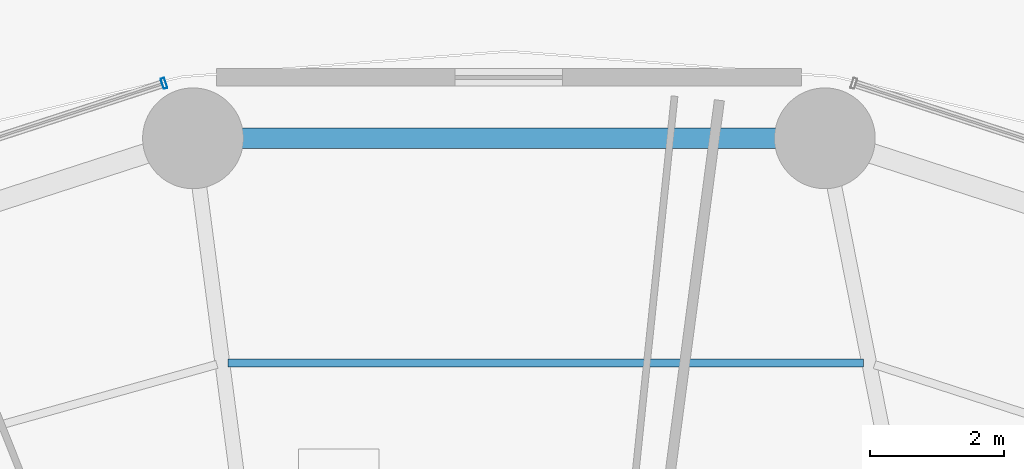
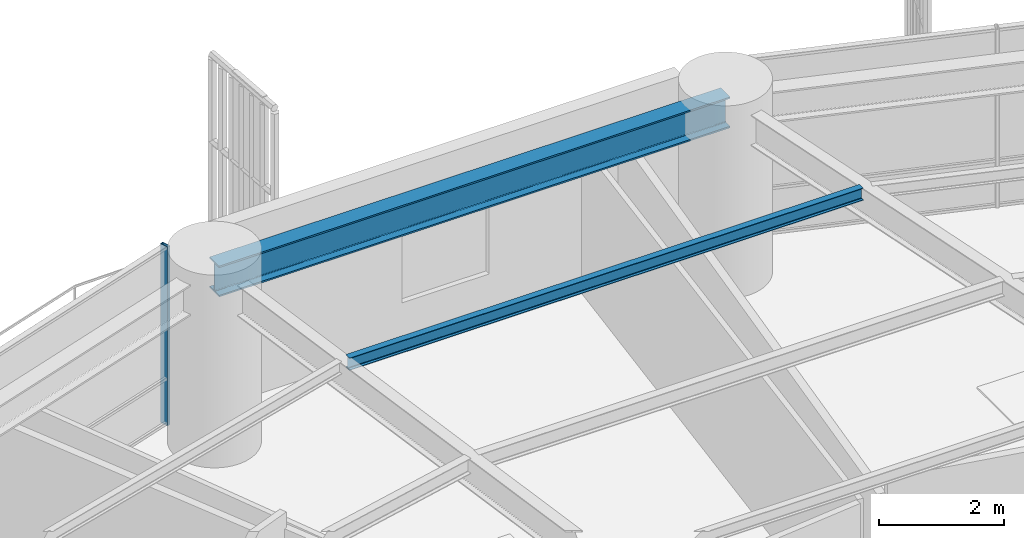
# One storey, part 18 of 33: 2 beams, 1 member, 1 element without a shape of its own.
"""IFC4 building model written with IfcOpenShell, lengths in metres."""

from ifc_helpers import new_model, si_unit, direction, frame, origin, origin_2d, place, context, subcontext, project, spatial, hollow_rectangle, i_section, extrude, material, layer, layer_set, material_profile, profile_set, type_object, element, aggregate, save


model = new_model("IFC4")

# Units and contexts
model_context = context("Model", 3, precision=1e-05, world=origin(), true_north=direction((0.0, 1.0)))
body_context = subcontext(model_context, "Body", "Model", "MODEL_VIEW")
ifc_project = project(units=[si_unit("LENGTHUNIT", "METRE"), si_unit("AREAUNIT", "SQUARE_METRE"), si_unit("VOLUMEUNIT", "CUBIC_METRE"), si_unit("PLANEANGLEUNIT", "RADIAN"), si_unit("MASSUNIT", "GRAM", prefix="KILO")], contexts=[model_context])

# Site, building, storey
site_placement = place(None, origin())
site = spatial("IfcSite", under=ifc_project, at=site_placement, CompositionType="ELEMENT")
building_placement = place(site_placement, origin())
building = spatial("IfcBuilding", under=site, at=building_placement, Name="Kelanora Arch Commons", CompositionType="ELEMENT")
storey_placement = place(building_placement, frame((0.0, 0.0, 45.0)))
storey = spatial("IfcBuildingStorey", under=building, at=storey_placement, Name="L11", CompositionType="ELEMENT", Elevation=45.0)

# Beams
ifc_material_1 = material(Name="Steel S355", Category="steel")
ifc_material_profile_1 = material_profile(ifc_material_1, i_section(OverallWidth=0.1201171875, OverallDepth=0.239990234375, WebThickness=0.006103515625, FlangeThickness=0.009765625, FilletRadius=0.014892578125, at=origin_2d()), Name="IPE240")
ifc_profile_set_1 = profile_set([ifc_material_profile_1], Name="Steel S355")
beam_type_1 = type_object("IfcBeamType", Name="BM-JST-02", PredefinedType="JOIST", material=ifc_profile_set_1)
beam_1_placement = place(storey_placement, frame((79.27685546875, 78.371337890625, 3.3701171875), z_axis=(-1.0, 0.0, 0.0), x_axis=(0.0, -1.0, 0.0)))
element("IfcBeam", 1, at=beam_1_placement, inside=storey, type_object=beam_type_1, Name="Secondary Chord Joist BJC-08 L11", PredefinedType="JOIST", context=body_context, shape_type="SweptSolid", body=[
    extrude(i_section(OverallWidth=0.1201171875, OverallDepth=0.239990234375, WebThickness=0.006103515625, FlangeThickness=0.009765625, FilletRadius=0.014892578125, at=origin_2d()), origin(), (0.0, 0.0, 1.0), 9.457763671875),
])
ifc_material_profile_2 = material_profile(ifc_material_1, i_section(OverallWidth=0.300048828125, OverallDepth=0.60009765625, WebThickness=0.015380859375, FlangeThickness=0.030029296875, FilletRadius=0.027099609375, at=origin_2d()), Name="HEB600")
ifc_profile_set_2 = profile_set([ifc_material_profile_2], Name="Steel S355")
beam_type_2 = type_object("IfcBeamType", Name="BM-SPN-Z1", PredefinedType="SPANDREL", material=ifc_profile_set_2)
beam_2_placement = place(storey_placement, frame((78.702392578125, 81.714111328125, 3.18994140625), z_axis=(-1.0, 0.0, 0.0), x_axis=(0.0, -1.0, 0.0)))
element("IfcBeam", 2, at=beam_2_placement, inside=storey, type_object=beam_type_2, Name="Perimeter Spandrel Beam BS-08 L11", PredefinedType="SPANDREL", context=body_context, shape_type="SweptSolid", body=[
    extrude(i_section(OverallWidth=0.300048828125, OverallDepth=0.60009765625, WebThickness=0.015380859375, FlangeThickness=0.030029296875, FilletRadius=0.027099609375, at=origin_2d()), origin(), (0.0, 0.0, 1.0), 9.40478515625),
])

# Curtain wall, member
ifc_material_2 = material(Name="Terracotta ceramic-fritted low-E glass and aluminium", Category="masonry")
ifc_layer = layer(ifc_material_2, 0.159912109375)
ifc_layer_set = layer_set([ifc_layer], Name="Terracotta ceramic-fritted low-E glass and aluminium")
curtain_wall_type = type_object("IfcCurtainWallType", Name="CW-SYS-01", PredefinedType="NOTDEFINED", material=ifc_layer_set)
curtain_wall_placement = place(storey_placement, origin())
curtain_wall = element("IfcCurtainWall", 3, at=curtain_wall_placement, inside=storey, type_object=curtain_wall_type, Name="Unitised Curtain Wall L11-B05", PredefinedType="NOTDEFINED")
ifc_material_3 = material(Name="Powder-coated aluminium terracotta", Category="masonry")
ifc_material_profile_3 = material_profile(ifc_material_3, hollow_rectangle(XDim=0.159912109375, YDim=0.06005859375, WallThickness=0.0048828125, InnerFilletRadius=0.0048828125, OuterFilletRadius=0.010009765625, at=origin_2d()), Name="CWM160x60")
ifc_profile_set_3 = profile_set([ifc_material_profile_3], Name="Powder-coated aluminium terracotta")
member_type = type_object("IfcMemberType", Name="CWM-STD", PredefinedType="MULLION", material=ifc_profile_set_3)
member_placement = place(storey_placement, frame((68.865478515625, 82.53173828125, 0.0), z_axis=(0.0, 0.0, 1.0), x_axis=(0.30905758454, -0.951043326793, 0.0)))
member = element("IfcMember", 4, at=member_placement, type_object=member_type, Name="CW-01 mullion 1", PredefinedType="MULLION", context=body_context, shape_type="SweptSolid", body=[
    extrude(hollow_rectangle(XDim=0.159912109375, YDim=0.06005859375, WallThickness=0.0048828125, InnerFilletRadius=0.0048828125, OuterFilletRadius=0.010009765625, at=origin_2d()), origin(), (0.0, 0.0, 1.0), 3.47509765625),
])
aggregate(curtain_wall, [member])

save(model, "model.ifc")
